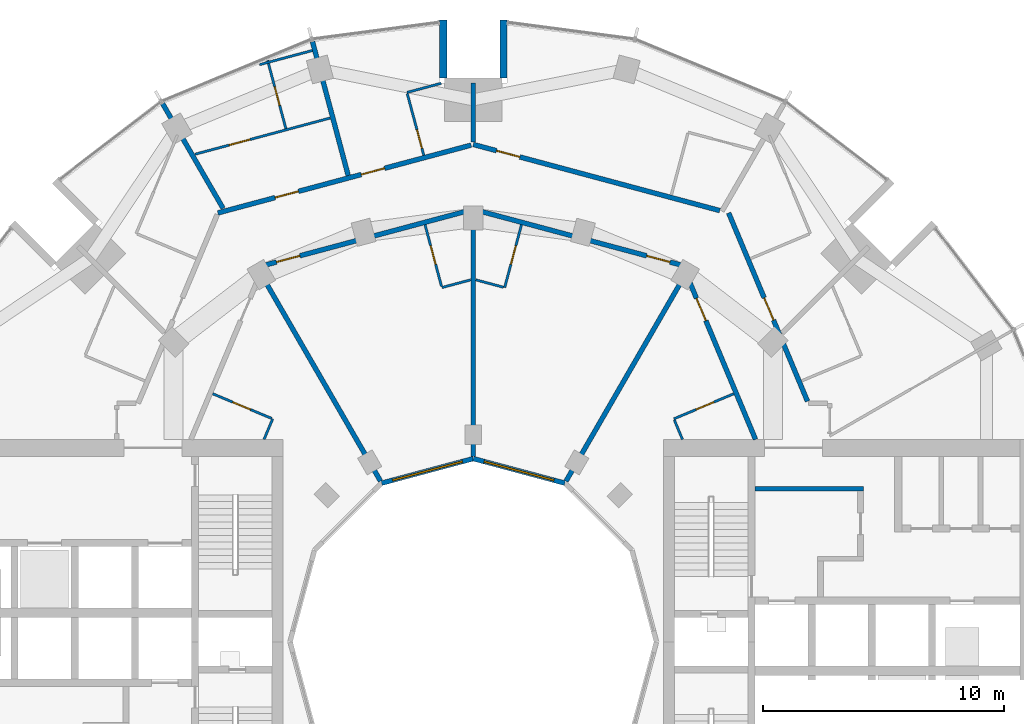
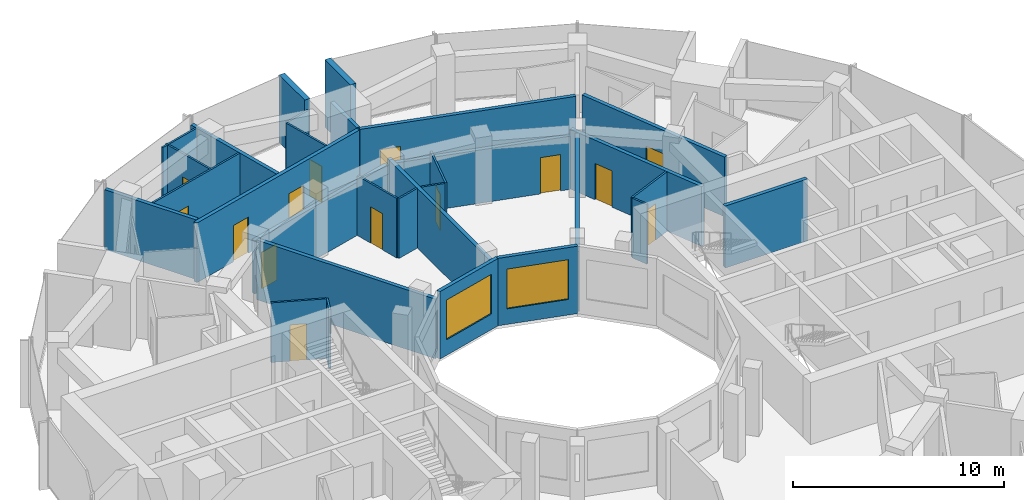
# One storey, part 12 of 15: 30 walls, 14 doors, 2 windows, 16 openings.
"""IFC4 building model written with IfcOpenShell, lengths in metres."""

from ifc_helpers import new_model, si_unit, direction, frame, frame_2d, origin, place, context, subcontext, project, spatial, rectangle, extrude, material, layer, layer_set, type_object, element, fill, save


model = new_model("IFC4")

# Units and contexts
model_context = context("Model", 3, precision=1e-05, world=origin(), true_north=direction((0.0, 1.0)))
body_context = subcontext(model_context, "Body", "Model", "MODEL_VIEW")
ifc_project = project(units=[si_unit("LENGTHUNIT", "METRE"), si_unit("AREAUNIT", "SQUARE_METRE"), si_unit("VOLUMEUNIT", "CUBIC_METRE"), si_unit("PLANEANGLEUNIT", "RADIAN"), si_unit("MASSUNIT", "GRAM", prefix="KILO")], contexts=[model_context])

# Site, building, storey
site_placement = place(None, origin())
site = spatial("IfcSite", under=ifc_project, at=site_placement, CompositionType="ELEMENT")
building_placement = place(site_placement, origin())
building = spatial("IfcBuilding", under=site, at=building_placement, Name="Torre Brocal", CompositionType="ELEMENT")
storey_placement = place(building_placement, frame((0.0, 0.0, 130.199951171875)))
storey = spatial("IfcBuildingStorey", under=building, at=storey_placement, Name="L30", CompositionType="ELEMENT", Elevation=130.199951171875)

# Walls
ifc_material_1 = material(Name="Concrete C70", Category="concrete")
ifc_layer_1 = layer(ifc_material_1, 0.199951171875)
ifc_layer_set_1 = layer_set([ifc_layer_1], Name="Concrete C70")
wall_type_1 = type_object("IfcWallType", Name="CORE WALL 200 C70", PredefinedType="SHEAR", material=ifc_layer_set_1)
wall_1_placement = place(storey_placement, frame((91.699951171875, 81.35009765625, 0.0), z_axis=(0.0, 0.0, 1.0), x_axis=(1.0, 0.0, 0.0)))
element("IfcWall", 1, at=wall_1_placement, inside=storey, type_object=wall_type_1, Name="Wall CW200-70", PredefinedType="SHEAR", context=body_context, shape_type="SweptSolid", body=[
    extrude(rectangle(XDim=4.5, YDim=0.199951171875, at=frame_2d((2.25, 0.0))), origin(), (0.0, 0.0, 1.0), 3.580078125),
])
ifc_material_2 = material(Name="Concrete C70", Category="concrete")
ifc_layer_2 = layer(ifc_material_2, 0.300048828125)
ifc_layer_set_2 = layer_set([ifc_layer_2], Name="Concrete C70")
wall_type_2 = type_object("IfcWallType", Name="NOTCH RETURN WALL 300 C70", PredefinedType="NOTDEFINED", material=ifc_layer_set_2)
for number, where, z_axis, x_axis, name in (
    (2, (81.25, 98.39990234375, 0.0), (0.0, 0.0, 1.0), (0.0, 1.0, 0.0), "NOTCH RETURN WALL"),
    (3, (78.75, 98.39990234375, 0.0), (0.0, 0.0, 1.0), (0.0, 1.0, 0.0), "NOTCH RETURN WALL"),
):
    element("IfcWall", number, at=place(storey_placement, frame(where, z_axis=z_axis, x_axis=x_axis)), inside=storey, type_object=wall_type_2, Name=name, PredefinedType="NOTDEFINED", context=body_context, shape_type="SweptSolid", body=[
        extrude(rectangle(XDim=2.415771484375, YDim=0.300048828125, at=frame_2d((1.2080078125, 0.0))), origin(), (0.0, 0.0, 1.0), 3.900146484375),
    ])

# Wall, opening, door
ifc_material_3 = material(Name="Gypsum board", Category="Gypsum")
ifc_layer_3 = layer(ifc_material_3, 0.10009765625)
ifc_layer_set_3 = layer_set([ifc_layer_3], Name="Gypsum board")
wall_type_3 = type_object("IfcWallType", Name="PARTITION 100", PredefinedType="PARTITIONING", material=ifc_layer_set_3)
wall_2_placement = place(storey_placement, frame((68.447021484375, 95.2421875, 0.0), z_axis=(0.0, 0.0, 1.0), x_axis=(0.965958178477, 0.258698274894, 0.0)))
wall_2 = element("IfcWall", 4, at=wall_2_placement, inside=storey, type_object=wall_type_3, Name="BATHROOM WALL", PredefinedType="PARTITIONING", context=body_context, shape_type="SweptSolid", body=[
    extrude(rectangle(XDim=5.8095703125, YDim=0.10009765625, at=frame_2d((2.90478515625, 0.0))), origin(), (0.0, 0.0, 1.0), 3.449951171875),
])
opening_1_placement = place(wall_2_placement, frame((1.459716796875, 0.0, 0.0)))
opening_1 = element("IfcOpeningElement", 5, at=opening_1_placement, cuts=wall_2, Name="Opening E02-D11", PredefinedType="OPENING", context=body_context, shape_type="SweptSolid", body=[
    extrude(rectangle(XDim=0.89990234375, YDim=2.10009765625, at=frame_2d((0.449951171875, 1.050048828125))), frame((0.0, 0.06005859375, 0.0), z_axis=(0.0, -1.0, 0.0), x_axis=(1.0, 0.0, 0.0)), (0.0, 0.0, 1.0), 0.1201171875),
])
ifc_material_4 = material(Name="Timber", Category="wood")
door_type_1 = type_object("IfcDoorType", Name="ROOM DOOR 900X2100", OperationType="SINGLE_SWING_LEFT", PredefinedType="DOOR", material=ifc_material_4)
door_1_placement = place(opening_1_placement, origin())
door_1 = element("IfcDoor", 6, at=door_1_placement, inside=storey, type_object=door_type_1, Name="E02-D11", OperationType="SINGLE_SWING_RIGHT", OverallHeight=2.10009765625, OverallWidth=0.89990234375, PredefinedType="DOOR", context=body_context, shape_type="SweptSolid", body=[
    extrude(rectangle(XDim=0.89990234375, YDim=2.10009765625, at=frame_2d((0.449951171875, 1.050048828125))), frame((0.0, 0.02490234375, 0.0), z_axis=(0.0, -1.0, 0.0), x_axis=(1.0, 0.0, 0.0)), (0.0, 0.0, 1.0), 0.050048828125),
])
fill(opening_1, door_1)

wall_3_placement = place(storey_placement, frame((69.1806640625, 85.298095703125, 0.0), z_axis=(0.0, 0.0, 1.0), x_axis=(0.922377635784, -0.38628939541, 0.0)))
wall_3 = element("IfcWall", 7, at=wall_3_placement, inside=storey, type_object=wall_type_3, Name="BATHROOM WALL", PredefinedType="PARTITIONING", context=body_context, shape_type="SweptSolid", body=[
    extrude(rectangle(XDim=2.650146484375, YDim=0.10009765625, at=frame_2d((1.3251953125, 0.0))), origin(), (0.0, 0.0, 1.0), 3.449951171875),
])
opening_2_placement = place(wall_3_placement, frame((0.89990234375, 0.0, 0.0)))
opening_2 = element("IfcOpeningElement", 8, at=opening_2_placement, cuts=wall_3, Name="Opening E02-D24", PredefinedType="OPENING", context=body_context, shape_type="SweptSolid", body=[
    extrude(rectangle(XDim=0.800048828125, YDim=2.10009765625, at=frame_2d((0.39990234375, 1.050048828125))), frame((0.0, 0.06005859375, 0.0), z_axis=(0.0, -1.0, 0.0), x_axis=(1.0, 0.0, 0.0)), (0.0, 0.0, 1.0), 0.1201171875),
])
ifc_material_5 = material(Name="Timber", Category="wood")
door_type_2 = type_object("IfcDoorType", Name="BATHROOM DOOR 800X2100", OperationType="SINGLE_SWING_LEFT", PredefinedType="DOOR", material=ifc_material_5)
door_2_placement = place(opening_2_placement, frame((0.800048828125, 0.0, 0.0), z_axis=(0.0, 0.0, 1.0), x_axis=(-1.0, 0.0, 0.0)))
door_2 = element("IfcDoor", 9, at=door_2_placement, inside=storey, type_object=door_type_2, Name="E02-D24", OperationType="SINGLE_SWING_RIGHT", OverallHeight=2.10009765625, OverallWidth=0.800048828125, PredefinedType="DOOR", context=body_context, shape_type="SweptSolid", body=[
    extrude(rectangle(XDim=0.800048828125, YDim=2.10009765625, at=frame_2d((0.39990234375, 1.050048828125))), frame((0.0, 0.02490234375, 0.0), z_axis=(0.0, -1.0, 0.0), x_axis=(1.0, 0.0, 0.0)), (0.0, 0.0, 1.0), 0.050048828125),
])
fill(opening_2, door_2)

# Wall
wall_4_placement = place(storey_placement, frame((71.31298828125, 83.39990234375, 0.0), z_axis=(0.0, 0.0, 1.0), x_axis=(0.386148512695, 0.922436624459, 0.0)))
element("IfcWall", 10, at=wall_4_placement, inside=storey, type_object=wall_type_3, Name="BATHROOM WALL", PredefinedType="PARTITIONING", context=body_context, shape_type="SweptSolid", body=[
    extrude(rectangle(XDim=0.9267578125, YDim=0.10009765625, at=frame_2d((0.46337890625, 0.0))), origin(), (0.0, 0.0, 1.0), 3.449951171875),
])

# Wall, opening, door
wall_5_placement = place(storey_placement, frame((71.459228515625, 99.14697265625, 0.0), z_axis=(0.0, 0.0, 1.0), x_axis=(0.258550824249, -0.965997655939, 0.0)))
wall_5 = element("IfcWall", 11, at=wall_5_placement, inside=storey, type_object=wall_type_3, Name="BATHROOM WALL", PredefinedType="PARTITIONING", context=body_context, shape_type="SweptSolid", body=[
    extrude(rectangle(XDim=2.9423828125, YDim=0.10009765625, at=frame_2d((1.47119140625, 0.0))), origin(), (0.0, 0.0, 1.0), 3.449951171875),
])
opening_3_placement = place(wall_5_placement, frame((1.142578125, 0.0, 0.0)))
opening_3 = element("IfcOpeningElement", 12, at=opening_3_placement, cuts=wall_5, Name="Opening E02-D12", PredefinedType="OPENING", context=body_context, shape_type="SweptSolid", body=[
    extrude(rectangle(XDim=0.800048828125, YDim=2.10009765625, at=frame_2d((0.39990234375, 1.050048828125))), frame((0.0, 0.06005859375, 0.0), z_axis=(0.0, -1.0, 0.0), x_axis=(1.0, 0.0, 0.0)), (0.0, 0.0, 1.0), 0.1201171875),
])
door_3_placement = place(opening_3_placement, origin())
door_3 = element("IfcDoor", 13, at=door_3_placement, inside=storey, type_object=door_type_2, Name="E02-D12", OperationType="SINGLE_SWING_RIGHT", OverallHeight=2.10009765625, OverallWidth=0.800048828125, PredefinedType="DOOR", context=body_context, shape_type="SweptSolid", body=[
    extrude(rectangle(XDim=0.800048828125, YDim=2.10009765625, at=frame_2d((0.39990234375, 1.050048828125))), frame((0.0, 0.02490234375, 0.0), z_axis=(0.0, -1.0, 0.0), x_axis=(1.0, 0.0, 0.0)), (0.0, 0.0, 1.0), 0.050048828125),
])
fill(opening_3, door_3)

# Wall
wall_6_placement = place(storey_placement, frame((71.12646484375, 98.962646484375, 0.0), z_axis=(0.0, 0.0, 1.0), x_axis=(0.966023883118, 0.258452814352, 0.0)))
element("IfcWall", 14, at=wall_6_placement, inside=storey, type_object=wall_type_3, Name="BATHROOM WALL", PredefinedType="PARTITIONING", context=body_context, shape_type="SweptSolid", body=[
    extrude(rectangle(XDim=2.26904296875, YDim=0.10009765625, at=frame_2d((1.134521484375, 0.0))), origin(), (0.0, 0.0, 1.0), 3.449951171875),
])

# Wall, opening, door
wall_7_placement = place(storey_placement, frame((77.260009765625, 97.7587890625, 0.0), z_axis=(0.0, 0.0, 1.0), x_axis=(0.258935674139, -0.965894568086, 0.0)))
wall_7 = element("IfcWall", 15, at=wall_7_placement, inside=storey, type_object=wall_type_3, Name="BATHROOM WALL", PredefinedType="PARTITIONING", context=body_context, shape_type="SweptSolid", body=[
    extrude(rectangle(XDim=2.6494140625, YDim=0.10009765625, at=frame_2d((1.32470703125, 0.0))), origin(), (0.0, 0.0, 1.0), 3.449951171875),
])
opening_4_placement = place(wall_7_placement, frame((1.5498046875, 0.0, 0.0)))
opening_4 = element("IfcOpeningElement", 16, at=opening_4_placement, cuts=wall_7, Name="Opening E02-D09", PredefinedType="OPENING", context=body_context, shape_type="SweptSolid", body=[
    extrude(rectangle(XDim=0.800048828125, YDim=2.10009765625, at=frame_2d((0.39990234375, 1.050048828125))), frame((0.0, 0.06005859375, 0.0), z_axis=(0.0, -1.0, 0.0), x_axis=(1.0, 0.0, 0.0)), (0.0, 0.0, 1.0), 0.1201171875),
])
door_4_placement = place(opening_4_placement, origin())
door_4 = element("IfcDoor", 17, at=door_4_placement, inside=storey, type_object=door_type_2, Name="E02-D09", OperationType="SINGLE_SWING_RIGHT", OverallHeight=2.10009765625, OverallWidth=0.800048828125, PredefinedType="DOOR", context=body_context, shape_type="SweptSolid", body=[
    extrude(rectangle(XDim=0.800048828125, YDim=2.10009765625, at=frame_2d((0.39990234375, 1.050048828125))), frame((0.0, 0.02490234375, 0.0), z_axis=(0.0, -1.0, 0.0), x_axis=(1.0, 0.0, 0.0)), (0.0, 0.0, 1.0), 0.050048828125),
])
fill(opening_4, door_4)

# Wall
wall_8_placement = place(storey_placement, frame((77.2470703125, 97.806884765625, 0.0), z_axis=(0.0, 0.0, 1.0), x_axis=(0.965900598974, 0.258913176376, 0.0)))
element("IfcWall", 18, at=wall_8_placement, inside=storey, type_object=wall_type_3, Name="BATHROOM WALL", PredefinedType="PARTITIONING", context=body_context, shape_type="SweptSolid", body=[
    extrude(rectangle(XDim=1.469970703125, YDim=0.10009765625, at=frame_2d((0.73486328125, 0.0))), origin(), (0.0, 0.0, 1.0), 3.449951171875),
])

# Wall, opening, door
wall_9_placement = place(storey_placement, frame((77.997802734375, 92.314208984375, 0.0), z_axis=(0.0, 0.0, 1.0), x_axis=(0.258608674509, -0.965982170368, 0.0)))
wall_9 = element("IfcWall", 19, at=wall_9_placement, inside=storey, type_object=wall_type_3, Name="BATHROOM WALL", PredefinedType="PARTITIONING", context=body_context, shape_type="SweptSolid", body=[
    extrude(rectangle(XDim=2.64990234375, YDim=0.10009765625, at=frame_2d((1.324951171875, 0.0))), origin(), (0.0, 0.0, 1.0), 3.449951171875),
])
opening_5_placement = place(wall_9_placement, frame((0.89990234375, 0.0, 0.0)))
opening_5 = element("IfcOpeningElement", 20, at=opening_5_placement, cuts=wall_9, Name="Opening E02-D22", PredefinedType="OPENING", context=body_context, shape_type="SweptSolid", body=[
    extrude(rectangle(XDim=0.800048828125, YDim=2.10009765625, at=frame_2d((0.39990234375, 1.050048828125))), frame((0.0, 0.06005859375, 0.0), z_axis=(0.0, -1.0, 0.0), x_axis=(1.0, 0.0, 0.0)), (0.0, 0.0, 1.0), 0.1201171875),
])
door_5_placement = place(opening_5_placement, origin())
door_5 = element("IfcDoor", 21, at=door_5_placement, inside=storey, type_object=door_type_2, Name="E02-D22", OperationType="SINGLE_SWING_LEFT", OverallHeight=2.10009765625, OverallWidth=0.800048828125, PredefinedType="DOOR", context=body_context, shape_type="SweptSolid", body=[
    extrude(rectangle(XDim=0.800048828125, YDim=2.10009765625, at=frame_2d((0.39990234375, 1.050048828125))), frame((0.0, 0.02490234375, 0.0), z_axis=(0.0, -1.0, 0.0), x_axis=(1.0, 0.0, 0.0)), (0.0, 0.0, 1.0), 0.050048828125),
])
fill(opening_5, door_5)

# Walls
wall_10_placement = place(storey_placement, frame((78.696044921875, 89.7060546875, 0.0), z_axis=(0.0, 0.0, 1.0), x_axis=(0.966002513606, 0.258532674351, 0.0)))
element("IfcWall", 22, at=wall_10_placement, inside=storey, type_object=wall_type_3, Name="BATHROOM WALL", PredefinedType="PARTITIONING", context=body_context, shape_type="SweptSolid", body=[
    extrude(rectangle(XDim=1.239990234375, YDim=0.10009765625, at=frame_2d((0.6201171875, 0.0))), origin(), (0.0, 0.0, 1.0), 3.449951171875),
])
wall_11_placement = place(storey_placement, frame((80.106201171875, 90.026611328125, 0.0), z_axis=(0.0, 0.0, 1.0), x_axis=(0.966002973184, -0.258530957139, 0.0)))
element("IfcWall", 23, at=wall_11_placement, inside=storey, type_object=wall_type_3, Name="BATHROOM WALL", PredefinedType="PARTITIONING", context=body_context, shape_type="SweptSolid", body=[
    extrude(rectangle(XDim=1.18994140625, YDim=0.10009765625, at=frame_2d((0.594970703125, 0.0))), origin(), (0.0, 0.0, 1.0), 3.449951171875),
])

# Wall, opening, door
wall_12_placement = place(storey_placement, frame((81.303955078125, 89.7060546875, 0.0), z_axis=(0.0, 0.0, 1.0), x_axis=(0.258608022684, 0.965982344872, 0.0)))
wall_12 = element("IfcWall", 24, at=wall_12_placement, inside=storey, type_object=wall_type_3, Name="BATHROOM WALL", PredefinedType="PARTITIONING", context=body_context, shape_type="SweptSolid", body=[
    extrude(rectangle(XDim=2.699951171875, YDim=0.10009765625, at=frame_2d((1.35009765625, 0.0))), origin(), (0.0, 0.0, 1.0), 3.449951171875),
])
opening_6_placement = place(wall_12_placement, frame((1.0, 0.0, 0.0)))
opening_6 = element("IfcOpeningElement", 25, at=opening_6_placement, cuts=wall_12, Name="Opening E02-D20", PredefinedType="OPENING", context=body_context, shape_type="SweptSolid", body=[
    extrude(rectangle(XDim=0.800048828125, YDim=2.10009765625, at=frame_2d((0.39990234375, 1.050048828125))), frame((0.0, 0.06005859375, 0.0), z_axis=(0.0, -1.0, 0.0), x_axis=(1.0, 0.0, 0.0)), (0.0, 0.0, 1.0), 0.1201171875),
])
door_6_placement = place(opening_6_placement, origin())
door_6 = element("IfcDoor", 26, at=door_6_placement, inside=storey, type_object=door_type_2, Name="E02-D20", OperationType="SINGLE_SWING_RIGHT", OverallHeight=2.10009765625, OverallWidth=0.800048828125, PredefinedType="DOOR", context=body_context, shape_type="SweptSolid", body=[
    extrude(rectangle(XDim=0.800048828125, YDim=2.10009765625, at=frame_2d((0.39990234375, 1.050048828125))), frame((0.0, 0.02490234375, 0.0), z_axis=(0.0, -1.0, 0.0), x_axis=(1.0, 0.0, 0.0)), (0.0, 0.0, 1.0), 0.050048828125),
])
fill(opening_6, door_6)

# Wall
wall_13_placement = place(storey_placement, frame((88.348388671875, 84.208984375, 0.0), z_axis=(0.0, 0.0, 1.0), x_axis=(0.386077497504, -0.922466349479, 0.0)))
element("IfcWall", 27, at=wall_13_placement, inside=storey, type_object=wall_type_3, Name="BATHROOM WALL", PredefinedType="PARTITIONING", context=body_context, shape_type="SweptSolid", body=[
    extrude(rectangle(XDim=0.877197265625, YDim=0.10009765625, at=frame_2d((0.4384765625, 0.0))), origin(), (0.0, 0.0, 1.0), 3.449951171875),
])

# Wall, opening, door
wall_14_placement = place(storey_placement, frame((88.3291015625, 84.2548828125, 0.0), z_axis=(0.0, 0.0, 1.0), x_axis=(0.922320663728, 0.386425404522, 0.0)))
wall_14 = element("IfcWall", 28, at=wall_14_placement, inside=storey, type_object=wall_type_3, Name="BATHROOM WALL", PredefinedType="PARTITIONING", context=body_context, shape_type="SweptSolid", body=[
    extrude(rectangle(XDim=2.690185546875, YDim=0.10009765625, at=frame_2d((1.34521484375, 0.0))), origin(), (0.0, 0.0, 1.0), 3.449951171875),
])
opening_7_placement = place(wall_14_placement, frame((1.000244140625, 0.0, 0.0)))
opening_7 = element("IfcOpeningElement", 29, at=opening_7_placement, cuts=wall_14, Name="Opening E02-D18", PredefinedType="OPENING", context=body_context, shape_type="SweptSolid", body=[
    extrude(rectangle(XDim=0.800048828125, YDim=2.10009765625, at=frame_2d((0.39990234375, 1.050048828125))), frame((0.0, 0.06005859375, 0.0), z_axis=(0.0, -1.0, 0.0), x_axis=(1.0, 0.0, 0.0)), (0.0, 0.0, 1.0), 0.1201171875),
])
door_7_placement = place(opening_7_placement, frame((0.800048828125, 0.0, 0.0), z_axis=(0.0, 0.0, 1.0), x_axis=(-1.0, 0.0, 0.0)))
door_7 = element("IfcDoor", 30, at=door_7_placement, inside=storey, type_object=door_type_2, Name="E02-D18", OperationType="SINGLE_SWING_LEFT", OverallHeight=2.10009765625, OverallWidth=0.800048828125, PredefinedType="DOOR", context=body_context, shape_type="SweptSolid", body=[
    extrude(rectangle(XDim=0.800048828125, YDim=2.10009765625, at=frame_2d((0.39990234375, 1.050048828125))), frame((0.0, 0.02490234375, 0.0), z_axis=(0.0, -1.0, 0.0), x_axis=(1.0, 0.0, 0.0)), (0.0, 0.0, 1.0), 0.050048828125),
])
fill(opening_7, door_7)

# Wall
ifc_material_6 = material(Name="Gypsum board", Category="Gypsum")
ifc_layer_4 = layer(ifc_material_6, 0.199951171875)
ifc_layer_set_4 = layer_set([ifc_layer_4], Name="Gypsum board")
wall_type_4 = type_object("IfcWallType", Name="PARTITION 200 EI60", PredefinedType="PARTITIONING", material=ifc_layer_set_4)
wall_15_placement = place(storey_placement, frame((67.103515625, 97.3427734375, 0.0), z_axis=(0.0, 0.0, 1.0), x_axis=(0.499893606134, -0.866086821598, 0.0)))
element("IfcWall", 31, at=wall_15_placement, inside=storey, type_object=wall_type_4, Name="BATHROOM WALL", PredefinedType="PARTITIONING", context=body_context, shape_type="SweptSolid", body=[
    extrude(rectangle(XDim=5.021484375, YDim=0.199951171875, at=frame_2d((2.5107421875, 0.0))), origin(), (0.0, 0.0, 1.0), 3.449951171875),
])

# Wall, openings, doors
wall_16_placement = place(storey_placement, frame((69.39697265625, 92.805419921875, 0.0), z_axis=(0.0, 0.0, 1.0), x_axis=(0.965971666602, 0.258647906087, 0.0)))
wall_16 = element("IfcWall", 32, at=wall_16_placement, inside=storey, type_object=wall_type_4, Name="FLAT ENTRANCE WALL", PredefinedType="PARTITIONING", context=body_context, shape_type="SweptSolid", body=[
    extrude(rectangle(XDim=10.886962890625, YDim=0.199951171875, at=frame_2d((5.443359375, 0.0))), origin(), (0.0, 0.0, 1.0), 3.449951171875),
])
opening_8_placement = place(wall_16_placement, frame((6.163330078125, 0.0, 0.0)))
opening_8 = element("IfcOpeningElement", 33, at=opening_8_placement, cuts=wall_16, Name="Opening E02-D08", PredefinedType="OPENING", context=body_context, shape_type="SweptSolid", body=[
    extrude(rectangle(XDim=1.0, YDim=2.10009765625, at=frame_2d((0.5, 1.050048828125))), frame((0.0, 0.10986328125, 0.0), z_axis=(0.0, -1.0, 0.0), x_axis=(1.0, 0.0, 0.0)), (0.0, 0.0, 1.0), 0.219970703125),
])
opening_9_placement = place(wall_16_placement, frame((2.4609375, 0.0, 0.0)))
opening_9 = element("IfcOpeningElement", 34, at=opening_9_placement, cuts=wall_16, Name="Opening E02-D10", PredefinedType="OPENING", context=body_context, shape_type="SweptSolid", body=[
    extrude(rectangle(XDim=1.0, YDim=2.10009765625, at=frame_2d((0.5, 1.050048828125))), frame((0.0, 0.10986328125, 0.0), z_axis=(0.0, -1.0, 0.0), x_axis=(1.0, 0.0, 0.0)), (0.0, 0.0, 1.0), 0.219970703125),
])
ifc_material_7 = material(Name="Timber", Category="wood")
door_type_3 = type_object("IfcDoorType", Name="FLAT ENTRY DOOR FD30S 1000X2100", OperationType="SINGLE_SWING_RIGHT", PredefinedType="DOOR", material=ifc_material_7)
door_8_placement = place(opening_8_placement, origin())
door_8 = element("IfcDoor", 35, at=door_8_placement, inside=storey, type_object=door_type_3, Name="E02-D08", OperationType="SINGLE_SWING_LEFT", OverallHeight=2.10009765625, OverallWidth=1.0, PredefinedType="DOOR", context=body_context, shape_type="SweptSolid", body=[
    extrude(rectangle(XDim=1.0, YDim=2.10009765625, at=frame_2d((0.5, 1.050048828125))), frame((0.0, 0.02490234375, 0.0), z_axis=(0.0, -1.0, 0.0), x_axis=(1.0, 0.0, 0.0)), (0.0, 0.0, 1.0), 0.050048828125),
])
fill(opening_8, door_8)
door_9_placement = place(opening_9_placement, origin())
door_9 = element("IfcDoor", 36, at=door_9_placement, inside=storey, type_object=door_type_3, Name="E02-D10", OperationType="SINGLE_SWING_RIGHT", OverallHeight=2.10009765625, OverallWidth=1.0, PredefinedType="DOOR", context=body_context, shape_type="SweptSolid", body=[
    extrude(rectangle(XDim=1.0, YDim=2.10009765625, at=frame_2d((0.5, 1.050048828125))), frame((0.0, 0.02490234375, 0.0), z_axis=(0.0, -1.0, 0.0), x_axis=(1.0, 0.0, 0.0)), (0.0, 0.0, 1.0), 0.050048828125),
])
fill(opening_9, door_9)

# Walls
wall_17_placement = place(storey_placement, frame((71.263427734375, 90.13525390625, 0.0), z_axis=(0.0, 0.0, 1.0), x_axis=(0.499869438034, -0.86610077065, 0.0)))
element("IfcWall", 37, at=wall_17_placement, inside=storey, type_object=wall_type_4, Name="PARTY PARTITION", PredefinedType="PARTITIONING", context=body_context, shape_type="SweptSolid", body=[
    extrude(rectangle(XDim=9.77734375, YDim=0.199951171875, at=frame_2d((4.888671875, 0.0))), origin(), (0.0, 0.0, 1.0), 3.449951171875),
])
wall_18_placement = place(storey_placement, frame((73.32373046875, 99.91943359375, 0.0), z_axis=(0.0, 0.0, 1.0), x_axis=(0.257855371794, -0.966183526685, 0.0)))
element("IfcWall", 38, at=wall_18_placement, inside=storey, type_object=wall_type_4, Name="BATHROOM WALL", PredefinedType="PARTITIONING", context=body_context, shape_type="SweptSolid", body=[
    extrude(rectangle(XDim=5.755615234375, YDim=0.199951171875, at=frame_2d((2.8779296875, 0.0))), origin(), (0.0, 0.0, 1.0), 3.449951171875),
])
wall_19_placement = place(storey_placement, frame((80.0, 82.698974609375, 0.0), z_axis=(0.0, 0.0, 1.0), x_axis=(0.0, 1.0, 0.0)))
element("IfcWall", 39, at=wall_19_placement, inside=storey, type_object=wall_type_4, Name="BATHROOM WALL", PredefinedType="PARTITIONING", context=body_context, shape_type="SweptSolid", body=[
    extrude(rectangle(XDim=10.125, YDim=0.199951171875, at=frame_2d((5.0625, 0.0))), origin(), (0.0, 0.0, 1.0), 3.449951171875),
])
wall_20_placement = place(storey_placement, frame((80.0, 95.7470703125, 0.0), z_axis=(0.0, 0.0, 1.0), x_axis=(0.0, 1.0, 0.0)))
element("IfcWall", 40, at=wall_20_placement, inside=storey, type_object=wall_type_4, Name="BATHROOM WALL", PredefinedType="PARTITIONING", context=body_context, shape_type="SweptSolid", body=[
    extrude(rectangle(XDim=2.451904296875, YDim=0.199951171875, at=frame_2d((1.22607421875, 0.0))), origin(), (0.0, 0.0, 1.0), 3.449951171875),
])

# Wall, opening, door
wall_21_placement = place(storey_placement, frame((80.00048828125, 95.64794921875, 0.0), z_axis=(0.0, 0.0, 1.0), x_axis=(0.965852259202, -0.259093445292, 0.0)))
wall_21 = element("IfcWall", 41, at=wall_21_placement, inside=storey, type_object=wall_type_4, Name="GUESTROOM CORRIDOR WALL", PredefinedType="PARTITIONING", context=body_context, shape_type="SweptSolid", body=[
    extrude(rectangle(XDim=10.596923828125, YDim=0.199951171875, at=frame_2d((5.29833984375, 0.0))), origin(), (0.0, 0.0, 1.0), 3.449951171875),
])
opening_10_placement = place(wall_21_placement, frame((1.0, 0.0, 0.0)))
opening_10 = element("IfcOpeningElement", 42, at=opening_10_placement, cuts=wall_21, Name="Opening E02-D06", PredefinedType="OPENING", context=body_context, shape_type="SweptSolid", body=[
    extrude(rectangle(XDim=1.0, YDim=2.10009765625, at=frame_2d((0.5, 1.050048828125))), frame((0.0, 0.10986328125, 0.0), z_axis=(0.0, -1.0, 0.0), x_axis=(1.0, 0.0, 0.0)), (0.0, 0.0, 1.0), 0.219970703125),
])
door_10_placement = place(opening_10_placement, origin())
door_10 = element("IfcDoor", 43, at=door_10_placement, inside=storey, type_object=door_type_3, Name="E02-D06", OperationType="SINGLE_SWING_LEFT", OverallHeight=2.10009765625, OverallWidth=1.0, PredefinedType="DOOR", context=body_context, shape_type="SweptSolid", body=[
    extrude(rectangle(XDim=1.0, YDim=2.10009765625, at=frame_2d((0.5, 1.050048828125))), frame((0.0, 0.02490234375, 0.0), z_axis=(0.0, -1.0, 0.0), x_axis=(1.0, 0.0, 0.0)), (0.0, 0.0, 1.0), 0.050048828125),
])
fill(opening_10, door_10)

# Wall
wall_22_placement = place(storey_placement, frame((83.849609375, 81.666748046875, 0.0), z_axis=(0.0, 0.0, 1.0), x_axis=(0.500092047414, 0.865972253663, 0.0)))
element("IfcWall", 44, at=wall_22_placement, inside=storey, type_object=wall_type_4, Name="PARTY PARTITION", PredefinedType="PARTITIONING", context=body_context, shape_type="SweptSolid", body=[
    extrude(rectangle(XDim=9.777587890625, YDim=0.199951171875, at=frame_2d((4.888671875, 0.0))), origin(), (0.0, 0.0, 1.0), 3.449951171875),
])

# Wall, opening, door
wall_23_placement = place(storey_placement, frame((88.69775390625, 90.624267578125, 0.0), z_axis=(0.0, 0.0, 1.0), x_axis=(0.386027055918, -0.922487459047, 0.0)))
wall_23 = element("IfcWall", 45, at=wall_23_placement, inside=storey, type_object=wall_type_4, Name="GUESTROOM CORRIDOR WALL", PredefinedType="PARTITIONING", context=body_context, shape_type="SweptSolid", body=[
    extrude(rectangle(XDim=7.832275390625, YDim=0.199951171875, at=frame_2d((3.916015625, 0.0))), origin(), (0.0, 0.0, 1.0), 3.449951171875),
])
opening_11_placement = place(wall_23_placement, frame((1.481689453125, 0.0, 0.0)))
opening_11 = element("IfcOpeningElement", 46, at=opening_11_placement, cuts=wall_23, Name="Opening E02-D17", PredefinedType="OPENING", context=body_context, shape_type="SweptSolid", body=[
    extrude(rectangle(XDim=1.0, YDim=2.10009765625, at=frame_2d((0.5, 1.050048828125))), frame((0.0, 0.10986328125, 0.0), z_axis=(0.0, -1.0, 0.0), x_axis=(1.0, 0.0, 0.0)), (0.0, 0.0, 1.0), 0.219970703125),
])
door_11_placement = place(opening_11_placement, frame((1.0, 0.0, 0.0), z_axis=(0.0, 0.0, 1.0), x_axis=(-1.0, 0.0, 0.0)))
door_11 = element("IfcDoor", 47, at=door_11_placement, inside=storey, type_object=door_type_3, Name="E02-D17", OperationType="SINGLE_SWING_RIGHT", OverallHeight=2.10009765625, OverallWidth=1.0, PredefinedType="DOOR", context=body_context, shape_type="SweptSolid", body=[
    extrude(rectangle(XDim=1.0, YDim=2.10009765625, at=frame_2d((0.5, 1.050048828125))), frame((0.0, 0.02490234375, 0.0), z_axis=(0.0, -1.0, 0.0), x_axis=(1.0, 0.0, 0.0)), (0.0, 0.0, 1.0), 0.050048828125),
])
fill(opening_11, door_11)

wall_24_placement = place(storey_placement, frame((90.603515625, 92.80517578125, 0.0), z_axis=(0.0, 0.0, 1.0), x_axis=(0.386199042801, -0.922415470024, 0.0)))
wall_24 = element("IfcWall", 48, at=wall_24_placement, inside=storey, type_object=wall_type_4, Name="GUESTROOM CORRIDOR WALL", PredefinedType="PARTITIONING", context=body_context, shape_type="SweptSolid", body=[
    extrude(rectangle(XDim=8.48046875, YDim=0.199951171875, at=frame_2d((4.240234375, 0.0))), origin(), (0.0, 0.0, 1.0), 3.449951171875),
])
opening_12_placement = place(wall_24_placement, frame((3.822998046875, 0.0, 0.0)))
opening_12 = element("IfcOpeningElement", 49, at=opening_12_placement, cuts=wall_24, Name="Opening E02-D04", PredefinedType="OPENING", context=body_context, shape_type="SweptSolid", body=[
    extrude(rectangle(XDim=1.0, YDim=2.10009765625, at=frame_2d((0.5, 1.050048828125))), frame((0.0, 0.10986328125, 0.0), z_axis=(0.0, -1.0, 0.0), x_axis=(1.0, 0.0, 0.0)), (0.0, 0.0, 1.0), 0.219970703125),
])
door_12_placement = place(opening_12_placement, origin())
door_12 = element("IfcDoor", 50, at=door_12_placement, inside=storey, type_object=door_type_3, Name="E02-D04", OperationType="SINGLE_SWING_RIGHT", OverallHeight=2.10009765625, OverallWidth=1.0, PredefinedType="DOOR", context=body_context, shape_type="SweptSolid", body=[
    extrude(rectangle(XDim=1.0, YDim=2.10009765625, at=frame_2d((0.5, 1.050048828125))), frame((0.0, 0.02490234375, 0.0), z_axis=(0.0, -1.0, 0.0), x_axis=(1.0, 0.0, 0.0)), (0.0, 0.0, 1.0), 0.050048828125),
])
fill(opening_12, door_12)

ifc_material_8 = material(Name="Gypsum board", Category="Gypsum")
ifc_layer_5 = layer(ifc_material_8, 0.199951171875)
ifc_layer_set_5 = layer_set([ifc_layer_5], Name="Gypsum board")
wall_type_5 = type_object("IfcWallType", Name="PARTITION 200 EI60 UNDER BEAM 820", PredefinedType="PARTITIONING", material=ifc_layer_set_5)
wall_25_placement = place(storey_placement, frame((71.302734375, 90.62451171875, 0.0), z_axis=(0.0, 0.0, 1.0), x_axis=(0.965971868307, 0.258647152776, 0.0)))
wall_25 = element("IfcWall", 51, at=wall_25_placement, inside=storey, type_object=wall_type_5, Name="GUESTROOM CORRIDOR WALL", PredefinedType="PARTITIONING", context=body_context, shape_type="SweptSolid", body=[
    extrude(rectangle(XDim=8.873779296875, YDim=0.199951171875, at=frame_2d((4.43701171875, 0.0))), origin(), (0.0, 0.0, 1.0), 3.080078125),
])
opening_13_placement = place(wall_25_placement, frame((0.550048828125, 0.0, 0.0)))
opening_13 = element("IfcOpeningElement", 52, at=opening_13_placement, cuts=wall_25, Name="Opening E02-D21", PredefinedType="OPENING", context=body_context, shape_type="SweptSolid", body=[
    extrude(rectangle(XDim=1.0, YDim=2.10009765625, at=frame_2d((0.5, 1.050048828125))), frame((0.0, 0.10986328125, 0.0), z_axis=(0.0, -1.0, 0.0), x_axis=(1.0, 0.0, 0.0)), (0.0, 0.0, 1.0), 0.219970703125),
])
door_13_placement = place(opening_13_placement, frame((1.0, 0.0, 0.0), z_axis=(0.0, 0.0, 1.0), x_axis=(-1.0, 0.0, 0.0)))
door_13 = element("IfcDoor", 53, at=door_13_placement, inside=storey, type_object=door_type_3, Name="E02-D21", OperationType="SINGLE_SWING_RIGHT", OverallHeight=2.10009765625, OverallWidth=1.0, PredefinedType="DOOR", context=body_context, shape_type="SweptSolid", body=[
    extrude(rectangle(XDim=1.0, YDim=2.10009765625, at=frame_2d((0.5, 1.050048828125))), frame((0.0, 0.02490234375, 0.0), z_axis=(0.0, -1.0, 0.0), x_axis=(1.0, 0.0, 0.0)), (0.0, 0.0, 1.0), 0.050048828125),
])
fill(opening_13, door_13)

wall_26_placement = place(storey_placement, frame((80.0, 92.9541015625, 0.0), z_axis=(0.0, 0.0, 1.0), x_axis=(0.96592536278, -0.258820774936, 0.0)))
wall_26 = element("IfcWall", 54, at=wall_26_placement, inside=storey, type_object=wall_type_5, Name="GUESTROOM CORRIDOR WALL", PredefinedType="PARTITIONING", context=body_context, shape_type="SweptSolid", body=[
    extrude(rectangle(XDim=8.933837890625, YDim=0.199951171875, at=frame_2d((4.466796875, 0.0))), origin(), (0.0, 0.0, 1.0), 3.080078125),
])
opening_14_placement = place(wall_26_placement, frame((7.45361328125, 0.0, 0.0)))
opening_14 = element("IfcOpeningElement", 55, at=opening_14_placement, cuts=wall_26, Name="Opening E02-D19", PredefinedType="OPENING", context=body_context, shape_type="SweptSolid", body=[
    extrude(rectangle(XDim=1.0, YDim=2.10009765625, at=frame_2d((0.5, 1.050048828125))), frame((0.0, 0.10986328125, 0.0), z_axis=(0.0, -1.0, 0.0), x_axis=(1.0, 0.0, 0.0)), (0.0, 0.0, 1.0), 0.219970703125),
])
door_14_placement = place(opening_14_placement, frame((1.0, 0.0, 0.0), z_axis=(0.0, 0.0, 1.0), x_axis=(-1.0, 0.0, 0.0)))
door_14 = element("IfcDoor", 56, at=door_14_placement, inside=storey, type_object=door_type_3, Name="E02-D19", OperationType="SINGLE_SWING_LEFT", OverallHeight=2.10009765625, OverallWidth=1.0, PredefinedType="DOOR", context=body_context, shape_type="SweptSolid", body=[
    extrude(rectangle(XDim=1.0, YDim=2.10009765625, at=frame_2d((0.5, 1.050048828125))), frame((0.0, 0.02490234375, 0.0), z_axis=(0.0, -1.0, 0.0), x_axis=(1.0, 0.0, 0.0)), (0.0, 0.0, 1.0), 0.050048828125),
])
fill(opening_14, door_14)

# Wall, opening, window
ifc_material_9 = material(Name="Concrete C40", Category="concrete")
ifc_layer_6 = layer(ifc_material_9, 0.199951171875)
ifc_layer_set_6 = layer_set([ifc_layer_6], Name="Concrete C40")
wall_type_6 = type_object("IfcWallType", Name="WELL FACADE WALL 200", PredefinedType="NOTDEFINED", material=ifc_layer_set_6)
wall_27_placement = place(storey_placement, frame((83.8017578125, 81.5849609375, 0.0), z_axis=(0.0, 0.0, 1.0), x_axis=(-0.965933654434, 0.258789828301, 0.0)))
wall_27 = element("IfcWall", 57, at=wall_27_placement, inside=storey, type_object=wall_type_6, Name="WELL FACADE WALL", PredefinedType="NOTDEFINED", context=body_context, shape_type="SweptSolid", body=[
    extrude(rectangle(XDim=3.935791015625, YDim=0.199951171875, at=frame_2d((1.9677734375, 0.0))), origin(), (0.0, 0.0, 1.0), 3.900146484375),
])
opening_15_placement = place(wall_27_placement, frame((0.468017578125, 0.0, 0.89990234375)))
opening_15 = element("IfcOpeningElement", 58, at=opening_15_placement, cuts=wall_27, Name="Opening W1", PredefinedType="OPENING", context=body_context, shape_type="SweptSolid", body=[
    extrude(rectangle(XDim=3.0, YDim=2.300048828125, at=frame_2d((1.5, 1.14990234375))), frame((0.0, 0.10986328125, 0.0), z_axis=(0.0, -1.0, 0.0), x_axis=(1.0, 0.0, 0.0)), (0.0, 0.0, 1.0), 0.219970703125),
])
ifc_material_10 = material(Name="Aluminium and glass", Category="aluminium")
window_type = type_object("IfcWindowType", Name="WELL WINDOW 3000X2300", PartitioningType="SINGLE_PANEL", PredefinedType="WINDOW", material=ifc_material_10)
window_1_placement = place(opening_15_placement, origin())
window_1 = element("IfcWindow", 59, at=window_1_placement, inside=storey, type_object=window_type, Name="WELL WINDOW 3000X2300", OverallHeight=2.300048828125, OverallWidth=3.0, PartitioningType="SINGLE_PANEL", PredefinedType="WINDOW", context=body_context, shape_type="SweptSolid", body=[
    extrude(rectangle(XDim=3.0, YDim=2.300048828125, at=frame_2d((1.5, 1.14990234375))), frame((0.0, 0.030029296875, 0.0), z_axis=(0.0, -1.0, 0.0), x_axis=(1.0, 0.0, 0.0)), (0.0, 0.0, 1.0), 0.06005859375),
])
fill(opening_15, window_1)

wall_28_placement = place(storey_placement, frame((80.0, 82.603515625, 0.0), z_axis=(0.0, 0.0, 1.0), x_axis=(-0.965933654434, -0.258789828301, 0.0)))
wall_28 = element("IfcWall", 60, at=wall_28_placement, inside=storey, type_object=wall_type_6, Name="WELL FACADE WALL", PredefinedType="NOTDEFINED", context=body_context, shape_type="SweptSolid", body=[
    extrude(rectangle(XDim=3.935791015625, YDim=0.199951171875, at=frame_2d((1.9677734375, 0.0))), origin(), (0.0, 0.0, 1.0), 3.900146484375),
])
opening_16_placement = place(wall_28_placement, frame((0.468017578125, 0.0, 0.89990234375)))
opening_16 = element("IfcOpeningElement", 61, at=opening_16_placement, cuts=wall_28, Name="Opening W1", PredefinedType="OPENING", context=body_context, shape_type="SweptSolid", body=[
    extrude(rectangle(XDim=3.0, YDim=2.300048828125, at=frame_2d((1.5, 1.14990234375))), frame((0.0, 0.10986328125, 0.0), z_axis=(0.0, -1.0, 0.0), x_axis=(1.0, 0.0, 0.0)), (0.0, 0.0, 1.0), 0.219970703125),
])
window_2_placement = place(opening_16_placement, origin())
window_2 = element("IfcWindow", 62, at=window_2_placement, inside=storey, type_object=window_type, Name="WELL WINDOW 3000X2300", OverallHeight=2.300048828125, OverallWidth=3.0, PartitioningType="SINGLE_PANEL", PredefinedType="WINDOW", context=body_context, shape_type="SweptSolid", body=[
    extrude(rectangle(XDim=3.0, YDim=2.300048828125, at=frame_2d((1.5, 1.14990234375))), frame((0.0, 0.030029296875, 0.0), z_axis=(0.0, -1.0, 0.0), x_axis=(1.0, 0.0, 0.0)), (0.0, 0.0, 1.0), 0.06005859375),
])
fill(opening_16, window_2)

save(model, "model.ifc")
